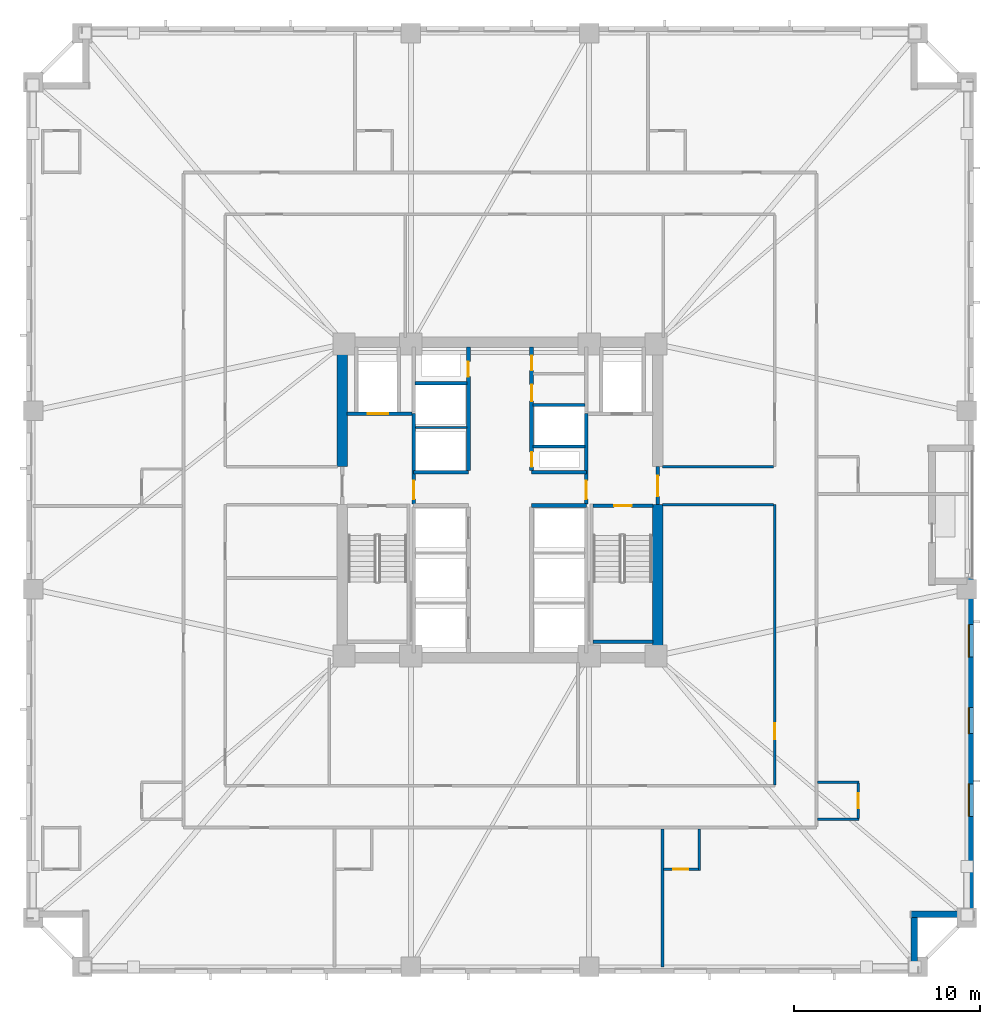
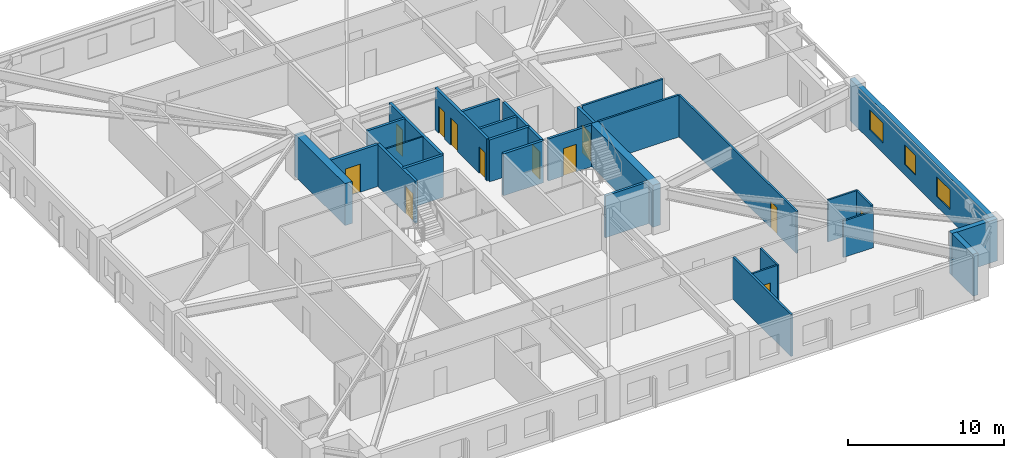
# One storey, part 4 of 11: 29 walls, 12 doors, 3 windows, 15 openings.
"""IFC4 building model written with IfcOpenShell, lengths in metres."""

import ifcopenshell
import ifcopenshell.guid

model = None  # the IFC model being written
_history = None  # IfcOwnerHistory: only IFC2X3 demands one
_inside = {}  # id of a spatial element -> (the spatial element, [elements in it])
_under = {}  # id of a project, library or spatial element -> (it, [spatial elements below it])
_declared = {}  # id of a project -> (the project, [libraries it declares])
_typed = {}  # id of a type object -> (the type object, [elements of that type])
_made_of = {}  # id of a material, layer set ... -> (it, [elements and type objects made of it])


def new_model(schema):
    """Start an empty IFC model of exactly this schema.

    Asked for "IFC4X3", IfcOpenShell would pick the latest addendum, in which some entities
    have other attributes; the version numbers below select the first issue.
    IFC2X3 requires an IfcOwnerHistory on every rooted entity: one is made here for all.
    """
    global model, _history
    if schema == "IFC4X3":
        model = ifcopenshell.file(schema_version=(4, 3, 0, 0))
    else:
        model = ifcopenshell.file(schema=schema)
    _inside.clear()
    _under.clear()
    _declared.clear()
    _typed.clear()
    _made_of.clear()
    _history = None
    if model.schema == "IFC2X3":
        org = make("IfcOrganization", Name="unknown")
        user = make(
            "IfcPersonAndOrganization",
            ThePerson=make("IfcPerson", FamilyName="unknown"),
            TheOrganization=org,
        )
        app = make(
            "IfcApplication",
            ApplicationDeveloper=org,
            Version="unknown",
            ApplicationFullName="unknown",
            ApplicationIdentifier="unknown",
        )
        _history = make(
            "IfcOwnerHistory",
            OwningUser=user,
            OwningApplication=app,
            ChangeAction="ADDED",
            CreationDate=0,
        )
    return model


def make(cls, **values):
    """One entity of the class cls with the attributes given. An attribute that is None is left unset."""
    return model.create_entity(
        cls, **{name: value for name, value in values.items() if value is not None}
    )


def rooted(cls, **values):
    """An entity with a GlobalId (a new one), such as an element, a storey or a relation."""
    return make(cls, GlobalId=ifcopenshell.guid.new(), OwnerHistory=_history, **values)


def si_unit(unit_type, name, prefix=None):
    """IfcSIUnit, for example si_unit("LENGTHUNIT", "METRE", prefix="MILLI")."""
    return make("IfcSIUnit", UnitType=unit_type, Prefix=prefix, Name=name)


def assignment(units):
    """IfcUnitAssignment: the units of a project."""
    return None if units is None else make("IfcUnitAssignment", Units=units)


def point(xyz):
    """IfcCartesianPoint."""
    return None if xyz is None else make("IfcCartesianPoint", Coordinates=xyz)


def direction(xyz):
    """IfcDirection."""
    return None if xyz is None else make("IfcDirection", DirectionRatios=xyz)


def frame(location, z_axis=None, x_axis=None):
    """IfcAxis2Placement3D, a coordinate frame: its origin and axes. An axis left out is left unset."""
    return make(
        "IfcAxis2Placement3D",
        Location=point(location),
        Axis=direction(z_axis),
        RefDirection=direction(x_axis),
    )


def frame_2d(location, x_axis=None):
    """IfcAxis2Placement2D, a coordinate frame in the plane: its origin and x axis."""
    return make(
        "IfcAxis2Placement2D", Location=point(location), RefDirection=direction(x_axis)
    )


def origin():
    """The frame at (0, 0, 0) with its axes left unset."""
    return frame((0.0, 0.0, 0.0))


def place(relative_to, where):
    """IfcLocalPlacement: puts the frame where relative to a parent placement (None: the world)."""
    return make(
        "IfcLocalPlacement", PlacementRelTo=relative_to, RelativePlacement=where
    )


def context(
    kind, dimensions, precision=None, world=None, true_north=None, identifier=None
):
    """IfcGeometricRepresentationContext, for example the 3D "Model" context."""
    return make(
        "IfcGeometricRepresentationContext",
        ContextIdentifier=identifier,
        ContextType=kind,
        CoordinateSpaceDimension=dimensions,
        Precision=precision,
        WorldCoordinateSystem=world,
        TrueNorth=true_north,
    )


def subcontext(parent, identifier, kind, view, scale=None):
    """IfcGeometricRepresentationSubContext, for example "Body" below "Model"."""
    return make(
        "IfcGeometricRepresentationSubContext",
        ContextIdentifier=identifier,
        ContextType=kind,
        ParentContext=parent,
        TargetScale=scale,
        TargetView=view,
    )


def project(units=None, contexts=None):
    """IfcProject with its units and contexts."""
    return rooted(
        "IfcProject",
        Name="project",
        RepresentationContexts=contexts,
        UnitsInContext=assignment(units),
    )


def spatial(cls, under=None, at=None, **own):
    """A site, building, storey or space (cls), placed at a placement, below another one or the project."""
    s = rooted(cls, ObjectPlacement=at, **own)
    if under is not None:
        _under.setdefault(under.id(), (under, []))[1].append(s)
    return s


def profile(cls, at=None, kind="AREA", **sizes):
    """A parametric profile (cls). Its sizes go by their IFC names, for example OverallWidth=200.0."""
    return make(cls, ProfileType=kind, Position=at, **sizes)


def rectangle(**sizes):
    """IfcRectangleProfileDef."""
    return profile("IfcRectangleProfileDef", **sizes)


def extrude(swept, where, along, depth):
    """IfcExtrudedAreaSolid: the profile swept, set in the frame where, extruded along a direction by depth."""
    return make(
        "IfcExtrudedAreaSolid",
        SweptArea=swept,
        Position=where,
        ExtrudedDirection=direction(along),
        Depth=depth,
    )


def shape(context_of_items, identifier, shape_type, items):
    """IfcShapeRepresentation: the items that make up one representation, for example the "Body"."""
    return make(
        "IfcShapeRepresentation",
        ContextOfItems=context_of_items,
        RepresentationIdentifier=identifier,
        RepresentationType=shape_type,
        Items=items,
    )


def material(Name=None, Category=None):
    """IfcMaterial."""
    return make("IfcMaterial", Name=Name, Category=Category)


def layer(
    of_material, thickness, ventilated=None, Name=None, Category=None, Priority=None
):
    """IfcMaterialLayer: one layer of a wall or slab, of a material (None: an air gap)."""
    return make(
        "IfcMaterialLayer",
        Material=of_material,
        LayerThickness=thickness,
        IsVentilated=ventilated,
        Name=Name,
        Category=Category,
        Priority=Priority,
    )


def layer_set(layers, Name=None):
    """IfcMaterialLayerSet."""
    return make("IfcMaterialLayerSet", MaterialLayers=layers, LayerSetName=Name)


def made_of(thing, what):
    """Note that an element or type object is made of a material, layer set ...; save() writes the relation."""
    if what is not None:
        _made_of.setdefault(what.id(), (what, []))[1].append(thing)
    return thing


def type_object(cls, material=None, **own):
    """A type object (cls), such as IfcWallType, which elements share."""
    return made_of(rooted(cls, **own), material)


def element(
    cls,
    number,
    at=None,
    inside=None,
    cuts=None,
    type_object=None,
    material=None,
    context=None,
    identifier="Body",
    shape_type=None,
    held_by="IfcProductDefinitionShape",
    body=None,
    shapes=None,
    **own,
):
    """One element of the class cls, such as IfcWall. Its Tag is "e" and its number.

    at: its placement. inside: the storey or other place that contains it. cuts: it is an
    opening in that element (IfcRelVoidsElement). A single representation is given by context,
    identifier, shape_type and body (its items); several are given by shapes. held_by: the class
    of the entity that holds the representations. save() writes the other relations.
    """
    e = rooted(cls, Tag="e%d" % number, ObjectPlacement=at, **own)
    if body is not None:
        shapes = [shape(context, identifier, shape_type, body)]
    if shapes is not None:
        e.Representation = make(held_by, Representations=shapes)
    if inside is not None:
        _inside.setdefault(inside.id(), (inside, []))[1].append(e)
    if cuts is not None:
        rooted(
            "IfcRelVoidsElement", RelatingBuildingElement=cuts, RelatedOpeningElement=e
        )
    if type_object is not None:
        _typed.setdefault(type_object.id(), (type_object, []))[1].append(e)
    return made_of(e, material)


def fill(opening, filler):
    """IfcRelFillsElement: the door or window that sits in an opening."""
    return rooted(
        "IfcRelFillsElement",
        RelatingOpeningElement=opening,
        RelatedBuildingElement=filler,
    )


def aggregate(whole, parts):
    """IfcRelAggregates: a whole, such as a stair, and the parts it consists of."""
    return rooted("IfcRelAggregates", RelatingObject=whole, RelatedObjects=parts)


def save(model, path):
    """Write the relations noted so far, then the file.

    IfcRelAggregates (storeys below a building ...), IfcRelContainedInSpatialStructure (elements
    in a storey), IfcRelDefinesByType, IfcRelAssociatesMaterial and IfcRelDeclares: one each for
    every whole, place, type object, material and project.
    """
    for whole, parts in _under.values():
        aggregate(whole, parts)
    for where, things in _inside.values():
        rooted(
            "IfcRelContainedInSpatialStructure",
            RelatedElements=things,
            RelatingStructure=where,
        )
    for kind, things in _typed.values():
        rooted("IfcRelDefinesByType", RelatedObjects=things, RelatingType=kind)
    for what, things in _made_of.values():
        rooted("IfcRelAssociatesMaterial", RelatedObjects=things, RelatingMaterial=what)
    for by, libraries in _declared.values():
        rooted("IfcRelDeclares", RelatingContext=by, RelatedDefinitions=libraries)
    model.write(path)


model = new_model("IFC4")

# Units and contexts
model_context = context("Model", 3, precision=1e-05, world=origin(), true_north=direction((0.0, 1.0)))
body_context = subcontext(model_context, "Body", "Model", "MODEL_VIEW")
ifc_project = project(units=[si_unit("LENGTHUNIT", "METRE"), si_unit("AREAUNIT", "SQUARE_METRE"), si_unit("VOLUMEUNIT", "CUBIC_METRE"), si_unit("PLANEANGLEUNIT", "RADIAN"), si_unit("MASSUNIT", "GRAM", prefix="KILO")], contexts=[model_context])

# Site, building, storey
site_placement = place(None, origin())
site = spatial("IfcSite", under=ifc_project, at=site_placement, CompositionType="ELEMENT")
building_placement = place(site_placement, origin())
building = spatial("IfcBuilding", under=site, at=building_placement, Name="Cairnveth Concourse Tower", CompositionType="ELEMENT")
storey_placement = place(building_placement, frame((0.0, 0.0, 65.5)))
storey = spatial("IfcBuildingStorey", under=building, at=storey_placement, Name="L17", CompositionType="ELEMENT", Elevation=65.5)

# Walls
ifc_material_1 = material(Name="Gypsum Plasterboard Partition", Category="gypsum")
ifc_layer_1 = layer(ifc_material_1, 0.159912109375)
ifc_layer_set_1 = layer_set([ifc_layer_1], Name="Gypsum Plasterboard Partition")
wall_type_1 = type_object("IfcWallType", Name="ACOUSTIC PARTY WALL 180", PredefinedType="PARTITIONING", material=ifc_layer_set_1)
wall_1_placement = place(storey_placement, frame((60.742431640625, 13.844970703125, 0.0), z_axis=(0.0, 0.0, 1.0), x_axis=(0.0, 1.0, 0.0)))
element("IfcWall", 1, at=wall_1_placement, inside=storey, type_object=wall_type_1, Name="Interior Wall IW-L17-064", PredefinedType="PARTITIONING", context=body_context, shape_type="SweptSolid", body=[
    extrude(rectangle(XDim=7.43994140625, YDim=0.159912109375, at=frame_2d((3.719970703125, 0.0))), origin(), (0.0, 0.0, 1.0), 3.280029296875),
])
ifc_material_2 = material(Name="Concrete N80 (80 MPa)", Category="concrete")
ifc_layer_2 = layer(ifc_material_2, 0.550048828125)
ifc_layer_set_2 = layer_set([ifc_layer_2], Name="Concrete N80 (80 MPa)")
wall_type_2 = type_object("IfcWallType", Name="CORE SHEAR WALL 550", PredefinedType="SHEAR", material=ifc_layer_set_2)
wall_2_placement = place(storey_placement, frame((43.5, 40.800048828125, 0.0), z_axis=(0.0, 0.0, 1.0), x_axis=(0.0, 1.0, 0.0)))
element("IfcWall", 2, at=wall_2_placement, inside=storey, type_object=wall_type_2, Name="Core West Shear Wall N L17", PredefinedType="SHEAR", context=body_context, shape_type="SweptSolid", body=[
    extrude(rectangle(XDim=6.43505859375, YDim=0.550048828125, at=frame_2d((3.217529296875, 0.0))), origin(), (0.0, 0.0, 1.0), 3.280029296875),
])
wall_3_placement = place(storey_placement, frame((60.5, 30.764892578125, 0.0), z_axis=(0.0, 0.0, 1.0), x_axis=(0.0, 1.0, 0.0)))
element("IfcWall", 3, at=wall_3_placement, inside=storey, type_object=wall_type_2, Name="Core East Shear Wall S L17", PredefinedType="SHEAR", context=body_context, shape_type="SweptSolid", body=[
    extrude(rectangle(XDim=7.985107421875, YDim=0.550048828125, at=frame_2d((3.99267578125, 0.0))), origin(), (0.0, 0.0, 1.0), 3.280029296875),
])
ifc_material_3 = material(Name="Concrete N50 (50 MPa)", Category="concrete")
ifc_layer_3 = layer(ifc_material_3, 0.179931640625)
ifc_layer_set_3 = layer_set([ifc_layer_3], Name="Concrete N50 (50 MPa)")
wall_type_3 = type_object("IfcWallType", Name="FIRE SHAFT WALL 180", PredefinedType="SOLIDWALL", material=ifc_layer_set_3)
wall_4_placement = place(storey_placement, frame((47.425048828125, 45.280029296875, 0.0), z_axis=(0.0, 0.0, 1.0), x_axis=(1.0, 0.0, 0.0)))
element("IfcWall", 4, at=wall_4_placement, inside=storey, type_object=wall_type_3, Name="Interior Wall IW-L17-033", PredefinedType="SOLIDWALL", context=body_context, shape_type="SweptSolid", body=[
    extrude(rectangle(XDim=2.7900390625, YDim=0.179931640625, at=frame_2d((1.39501953125, 0.0))), origin(), (0.0, 0.0, 1.0), 3.280029296875),
])
wall_5_placement = place(storey_placement, frame((53.784912109375, 41.8798828125, 0.0), z_axis=(0.0, 0.0, 1.0), x_axis=(1.0, 0.0, 0.0)))
element("IfcWall", 5, at=wall_5_placement, inside=storey, type_object=wall_type_3, Name="Interior Wall IW-L17-035", PredefinedType="SOLIDWALL", context=body_context, shape_type="SweptSolid", body=[
    extrude(rectangle(XDim=2.780029296875, YDim=0.179931640625, at=frame_2d((1.39013671875, 0.0))), origin(), (0.0, 0.0, 1.0), 3.280029296875),
])
wall_6_placement = place(storey_placement, frame((53.784912109375, 44.1201171875, 0.0), z_axis=(0.0, 0.0, 1.0), x_axis=(1.0, 0.0, 0.0)))
element("IfcWall", 6, at=wall_6_placement, inside=storey, type_object=wall_type_3, Name="Interior Wall IW-L17-036", PredefinedType="SOLIDWALL", context=body_context, shape_type="SweptSolid", body=[
    extrude(rectangle(XDim=2.7900390625, YDim=0.179931640625, at=frame_2d((1.39501953125, 0.0))), origin(), (0.0, 0.0, 1.0), 3.280029296875),
])

# Wall, opening, door
wall_7_placement = place(storey_placement, frame((57.0048828125, 38.68994140625, 0.0), z_axis=(0.0, 0.0, 1.0), x_axis=(1.0, 0.0, 0.0)))
wall_7 = element("IfcWall", 7, at=wall_7_placement, inside=storey, type_object=wall_type_3, Name="Stair ST-2 Shaft Wall NEAR L17", PredefinedType="SOLIDWALL", context=body_context, shape_type="SweptSolid", body=[
    extrude(rectangle(XDim=3.230224609375, YDim=0.179931640625, at=frame_2d((1.615234375, 0.0))), origin(), (0.0, 0.0, 1.0), 3.280029296875),
])
opening_1_placement = place(wall_7_placement, frame((1.139892578125, 0.0, 0.0)))
opening_1 = element("IfcOpeningElement", 8, at=opening_1_placement, cuts=wall_7, Name="Opening ID12", PredefinedType="OPENING", context=body_context, shape_type="SweptSolid", body=[
    extrude(rectangle(XDim=0.949951171875, YDim=2.14990234375, at=frame_2d((0.47509765625, 1.074951171875))), frame((0.0, 0.099853515625, 0.0), z_axis=(0.0, -1.0, 0.0), x_axis=(1.0, 0.0, 0.0)), (0.0, 0.0, 1.0), 0.199951171875),
])
ifc_material_4 = material(Name="Steel Grade 350", Category="steel")
door_type_1 = type_object("IfcDoorType", Name="FIRE STAIR DOOR 950X2150", OperationType="NOTDEFINED", PredefinedType="DOOR", material=ifc_material_4)
door_1_placement = place(opening_1_placement, origin())
door_1 = element("IfcDoor", 9, at=door_1_placement, inside=storey, type_object=door_type_1, Name="Stair ST-2 Fire Door L17", OperationType="SINGLE_SWING_RIGHT", OverallHeight=2.14990234375, OverallWidth=0.949951171875, PredefinedType="DOOR", context=body_context, shape_type="SweptSolid", body=[
    extrude(rectangle(XDim=0.949951171875, YDim=2.14990234375, at=frame_2d((0.47509765625, 1.074951171875))), frame((0.0, 0.02490234375, 0.0), z_axis=(0.0, -1.0, 0.0), x_axis=(1.0, 0.0, 0.0)), (0.0, 0.0, 1.0), 0.050048828125),
])
fill(opening_1, door_1)

# Walls
wall_8_placement = place(storey_placement, frame((57.0048828125, 31.360107421875, 0.0), z_axis=(0.0, 0.0, 1.0), x_axis=(1.0, 0.0, 0.0)))
element("IfcWall", 10, at=wall_8_placement, inside=storey, type_object=wall_type_3, Name="Stair ST-2 Shaft Wall FAR L17", PredefinedType="SOLIDWALL", context=body_context, shape_type="SweptSolid", body=[
    extrude(rectangle(XDim=3.230224609375, YDim=0.179931640625, at=frame_2d((1.615234375, 0.0))), origin(), (0.0, 0.0, 1.0), 3.280029296875),
])
ifc_layer_4 = layer(ifc_material_3, 0.199951171875)
ifc_layer_set_4 = layer_set([ifc_layer_4], Name="Concrete N50 (50 MPa)")
wall_type_4 = type_object("IfcWallType", Name="FIRE SHAFT WALL 200", PredefinedType="SOLIDWALL", material=ifc_layer_set_4)
for number, where, z_axis, x_axis, name in (
    (11, (47.35009765625, 40.5, 0.0), (0.0, 0.0, 1.0), (1.0, 0.0, 0.0), "Interior Wall IW-L17-008"),
    (12, (53.699951171875, 38.699951171875, 0.0), (0.0, 0.0, 1.0), (1.0, 0.0, 0.0), "Interior Wall IW-L17-009"),
    (13, (53.699951171875, 40.5, 0.0), (0.0, 0.0, 1.0), (1.0, 0.0, 0.0), "Interior Wall IW-L17-010"),
):
    element("IfcWall", number, at=place(storey_placement, frame(where, z_axis=z_axis, x_axis=x_axis)), inside=storey, type_object=wall_type_4, Name=name, PredefinedType="SOLIDWALL", context=body_context, shape_type="SweptSolid", body=[
        extrude(rectangle(XDim=2.949951171875, YDim=0.199951171875, at=frame_2d((1.47509765625, 0.0))), origin(), (0.0, 0.0, 1.0), 3.280029296875),
    ])

# Wall, opening, door
wall_9_placement = place(storey_placement, frame((50.300048828125, 40.5849609375, 0.0), z_axis=(0.0, 0.0, 1.0), x_axis=(0.0, 1.0, 0.0)))
wall_9 = element("IfcWall", 14, at=wall_9_placement, inside=storey, type_object=wall_type_4, Name="Interior Wall IW-L17-013", PredefinedType="SOLIDWALL", context=body_context, shape_type="SweptSolid", body=[
    extrude(rectangle(XDim=6.655029296875, YDim=0.199951171875, at=frame_2d((3.32763671875, 0.0))), origin(), (0.0, 0.0, 1.0), 3.280029296875),
])
opening_2_placement = place(wall_9_placement, frame((5.06494140625, 0.0, 0.0)))
opening_2 = element("IfcOpeningElement", 15, at=opening_2_placement, cuts=wall_9, Name="Opening ID24", PredefinedType="OPENING", context=body_context, shape_type="SweptSolid", body=[
    extrude(rectangle(XDim=0.800048828125, YDim=2.080078125, at=frame_2d((0.39990234375, 1.0400390625))), frame((0.0, 0.10986328125, 0.0), z_axis=(0.0, -1.0, 0.0), x_axis=(1.0, 0.0, 0.0)), (0.0, 0.0, 1.0), 0.219970703125),
])
door_type_2 = type_object("IfcDoorType", Name="RISER ACCESS DOOR 800X2100", OperationType="NOTDEFINED", PredefinedType="DOOR", material=ifc_material_4)
door_2_placement = place(opening_2_placement, origin())
door_2 = element("IfcDoor", 16, at=door_2_placement, inside=storey, type_object=door_type_2, Name="NW Electrical Riser Access Door L17", OperationType="SINGLE_SWING_RIGHT", OverallHeight=2.080078125, OverallWidth=0.800048828125, PredefinedType="DOOR", context=body_context, shape_type="SweptSolid", body=[
    extrude(rectangle(XDim=0.800048828125, YDim=2.080078125, at=frame_2d((0.39990234375, 1.0400390625))), frame((0.0, 0.02490234375, 0.0), z_axis=(0.0, -1.0, 0.0), x_axis=(1.0, 0.0, 0.0)), (0.0, 0.0, 1.0), 0.050048828125),
])
fill(opening_2, door_2)

# Wall, openings, doors
wall_10_placement = place(storey_placement, frame((53.699951171875, 40.5849609375, 0.0), z_axis=(0.0, 0.0, 1.0), x_axis=(0.0, 1.0, 0.0)))
wall_10 = element("IfcWall", 17, at=wall_10_placement, inside=storey, type_object=wall_type_4, Name="Interior Wall IW-L17-014", PredefinedType="SOLIDWALL", context=body_context, shape_type="SweptSolid", body=[
    extrude(rectangle(XDim=6.655029296875, YDim=0.199951171875, at=frame_2d((3.32763671875, 0.0))), origin(), (0.0, 0.0, 1.0), 3.280029296875),
])
opening_3_placement = place(wall_10_placement, frame((0.195068359375, 0.0, 0.0)))
opening_3 = element("IfcOpeningElement", 18, at=opening_3_placement, cuts=wall_10, Name="Opening ID24", PredefinedType="OPENING", context=body_context, shape_type="SweptSolid", body=[
    extrude(rectangle(XDim=0.800048828125, YDim=2.080078125, at=frame_2d((0.39990234375, 1.0400390625))), frame((0.0, 0.10986328125, 0.0), z_axis=(0.0, -1.0, 0.0), x_axis=(1.0, 0.0, 0.0)), (0.0, 0.0, 1.0), 0.219970703125),
])
opening_4_placement = place(wall_10_placement, frame((3.735107421875, 0.0, 0.0)))
opening_4 = element("IfcOpeningElement", 19, at=opening_4_placement, cuts=wall_10, Name="Opening ID26", PredefinedType="OPENING", context=body_context, shape_type="SweptSolid", body=[
    extrude(rectangle(XDim=0.89990234375, YDim=2.1201171875, at=frame_2d((0.449951171875, 1.06005859375))), frame((0.0, 0.10986328125, 0.0), z_axis=(0.0, -1.0, 0.0), x_axis=(1.0, 0.0, 0.0)), (0.0, 0.0, 1.0), 0.219970703125),
])
opening_5_placement = place(wall_10_placement, frame((5.39501953125, 0.0, 0.0)))
opening_5 = element("IfcOpeningElement", 20, at=opening_5_placement, cuts=wall_10, Name="Opening ID23", PredefinedType="OPENING", context=body_context, shape_type="SweptSolid", body=[
    extrude(rectangle(XDim=0.800048828125, YDim=2.10009765625, at=frame_2d((0.39990234375, 1.050048828125))), frame((0.0, 0.10986328125, 0.0), z_axis=(0.0, -1.0, 0.0), x_axis=(1.0, 0.0, 0.0)), (0.0, 0.0, 1.0), 0.219970703125),
])
door_type_3 = type_object("IfcDoorType", Name="CORE SERVICE DOOR 800X2100", OperationType="NOTDEFINED", PredefinedType="DOOR", material=ifc_material_4)
door_3_placement = place(opening_5_placement, origin())
door_3 = element("IfcDoor", 21, at=door_3_placement, inside=storey, type_object=door_type_3, Name="Core NE Cleaners Door L17", OperationType="SINGLE_SWING_LEFT", OverallHeight=2.10009765625, OverallWidth=0.800048828125, PredefinedType="DOOR", context=body_context, shape_type="SweptSolid", body=[
    extrude(rectangle(XDim=0.800048828125, YDim=2.10009765625, at=frame_2d((0.39990234375, 1.050048828125))), frame((0.0, 0.02490234375, 0.0), z_axis=(0.0, -1.0, 0.0), x_axis=(1.0, 0.0, 0.0)), (0.0, 0.0, 1.0), 0.050048828125),
])
fill(opening_5, door_3)
door_type_4 = type_object("IfcDoorType", Name="CORE TOILET FIRE DOOR 900X2120", OperationType="NOTDEFINED", PredefinedType="DOOR", material=ifc_material_4)
door_4_placement = place(opening_4_placement, origin())
door_4 = element("IfcDoor", 22, at=door_4_placement, inside=storey, type_object=door_type_4, Name="Core NE Unisex WC Door L17", OperationType="SINGLE_SWING_RIGHT", OverallHeight=2.1201171875, OverallWidth=0.89990234375, PredefinedType="DOOR", context=body_context, shape_type="SweptSolid", body=[
    extrude(rectangle(XDim=0.89990234375, YDim=2.1201171875, at=frame_2d((0.449951171875, 1.06005859375))), frame((0.0, 0.02490234375, 0.0), z_axis=(0.0, -1.0, 0.0), x_axis=(1.0, 0.0, 0.0)), (0.0, 0.0, 1.0), 0.050048828125),
])
fill(opening_4, door_4)
door_5_placement = place(opening_3_placement, origin())
door_5 = element("IfcDoor", 23, at=door_5_placement, inside=storey, type_object=door_type_2, Name="Hydraulic Riser Door L17", OperationType="SINGLE_SWING_LEFT", OverallHeight=2.080078125, OverallWidth=0.800048828125, PredefinedType="DOOR", context=body_context, shape_type="SweptSolid", body=[
    extrude(rectangle(XDim=0.800048828125, YDim=2.080078125, at=frame_2d((0.39990234375, 1.0400390625))), frame((0.0, 0.02490234375, 0.0), z_axis=(0.0, -1.0, 0.0), x_axis=(1.0, 0.0, 0.0)), (0.0, 0.0, 1.0), 0.050048828125),
])
fill(opening_3, door_5)

# Wall, opening, door
wall_11_placement = place(storey_placement, frame((47.35009765625, 38.784912109375, 0.0), z_axis=(0.0, 0.0, 1.0), x_axis=(0.0, 1.0, 0.0)))
wall_11 = element("IfcWall", 24, at=wall_11_placement, inside=storey, type_object=wall_type_4, Name="Interior Wall IW-L17-016", PredefinedType="SOLIDWALL", context=body_context, shape_type="SweptSolid", body=[
    extrude(rectangle(XDim=4.864990234375, YDim=0.199951171875, at=frame_2d((2.4326171875, 0.0))), origin(), (0.0, 0.0, 1.0), 3.280029296875),
])
opening_6_placement = place(wall_11_placement, frame((0.264892578125, 0.0, 0.0)))
opening_6 = element("IfcOpeningElement", 25, at=opening_6_placement, cuts=wall_11, Name="Opening ID07", PredefinedType="OPENING", context=body_context, shape_type="SweptSolid", body=[
    extrude(rectangle(XDim=1.0, YDim=2.14990234375, at=frame_2d((0.5, 1.074951171875))), frame((0.0, 0.10986328125, 0.0), z_axis=(0.0, -1.0, 0.0), x_axis=(1.0, 0.0, 0.0)), (0.0, 0.0, 1.0), 0.219970703125),
])
door_type_5 = type_object("IfcDoorType", Name="FIRE CORRIDOR DOOR 1000X2150", OperationType="NOTDEFINED", PredefinedType="DOOR", material=ifc_material_4)
door_6_placement = place(opening_6_placement, origin())
door_6 = element("IfcDoor", 26, at=door_6_placement, inside=storey, type_object=door_type_5, Name="FF Lobby West to Lift Lobby Door L17", OperationType="SINGLE_SWING_RIGHT", OverallHeight=2.14990234375, OverallWidth=1.0, PredefinedType="DOOR", context=body_context, shape_type="SweptSolid", body=[
    extrude(rectangle(XDim=1.0, YDim=2.14990234375, at=frame_2d((0.5, 1.074951171875))), frame((0.0, 0.02490234375, 0.0), z_axis=(0.0, -1.0, 0.0), x_axis=(1.0, 0.0, 0.0)), (0.0, 0.0, 1.0), 0.050048828125),
])
fill(opening_6, door_6)

wall_12_placement = place(storey_placement, frame((43.760009765625, 43.64990234375, 0.0), z_axis=(0.0, 0.0, 1.0), x_axis=(1.0, 0.0, 0.0)))
wall_12 = element("IfcWall", 27, at=wall_12_placement, inside=storey, type_object=wall_type_4, Name="Interior Wall IW-L17-017", PredefinedType="SOLIDWALL", context=body_context, shape_type="SweptSolid", body=[
    extrude(rectangle(XDim=3.5048828125, YDim=0.199951171875, at=frame_2d((1.75244140625, 0.0))), origin(), (0.0, 0.0, 1.0), 3.280029296875),
])
opening_7_placement = place(wall_12_placement, frame((1.110107421875, 0.0, 0.0)))
opening_7 = element("IfcOpeningElement", 28, at=opening_7_placement, cuts=wall_12, Name="Opening LD-1", PredefinedType="OPENING", context=body_context, shape_type="SweptSolid", body=[
    extrude(rectangle(XDim=1.10009765625, YDim=2.199951171875, at=frame_2d((0.550048828125, 1.10009765625))), frame((0.0, 0.10986328125, 0.0), z_axis=(0.0, -1.0, 0.0), x_axis=(1.0, 0.0, 0.0)), (0.0, 0.0, 1.0), 0.219970703125),
])
ifc_material_5 = material(Name="Architectural Bronze Anodised Aluminium 6063-T6", Category="aluminium")
door_type_6 = type_object("IfcDoorType", Name="LIFT LANDING DOOR 1100X2200", OperationType="SLIDING_TO_LEFT", PredefinedType="DOOR", material=ifc_material_5)
door_7_placement = place(opening_7_placement, origin())
door_7 = element("IfcDoor", 29, at=door_7_placement, inside=storey, type_object=door_type_6, Name="Lift FFL1 Landing Door L17", OperationType="SLIDING_TO_LEFT", OverallHeight=2.199951171875, OverallWidth=1.10009765625, PredefinedType="DOOR", context=body_context, shape_type="SweptSolid", body=[
    extrude(rectangle(XDim=1.10009765625, YDim=2.199951171875, at=frame_2d((0.550048828125, 1.10009765625))), frame((0.0, 0.02490234375, 0.0), z_axis=(0.0, -1.0, 0.0), x_axis=(1.0, 0.0, 0.0)), (0.0, 0.0, 1.0), 0.050048828125),
])
fill(opening_7, door_7)

wall_13_placement = place(storey_placement, frame((60.5, 38.75, 0.0), z_axis=(0.0, 0.0, 1.0), x_axis=(0.0, 1.0, 0.0)))
wall_13 = element("IfcWall", 30, at=wall_13_placement, inside=storey, type_object=wall_type_4, Name="Interior Wall IW-L17-020", PredefinedType="SOLIDWALL", context=body_context, shape_type="SweptSolid", body=[
    extrude(rectangle(XDim=2.050048828125, YDim=0.199951171875, at=frame_2d((1.02490234375, 0.0))), origin(), (0.0, 0.0, 1.0), 3.280029296875),
])
opening_8_placement = place(wall_13_placement, frame((0.449951171875, 0.0, 0.0)))
opening_8 = element("IfcOpeningElement", 31, at=opening_8_placement, cuts=wall_13, Name="Opening ID06", PredefinedType="OPENING", context=body_context, shape_type="SweptSolid", body=[
    extrude(rectangle(XDim=1.10009765625, YDim=2.14990234375, at=frame_2d((0.550048828125, 1.074951171875))), frame((0.0, 0.10986328125, 0.0), z_axis=(0.0, -1.0, 0.0), x_axis=(1.0, 0.0, 0.0)), (0.0, 0.0, 1.0), 0.219970703125),
])
door_type_7 = type_object("IfcDoorType", Name="FIRE CORRIDOR DOOR 1100X2150", OperationType="NOTDEFINED", PredefinedType="DOOR", material=ifc_material_4)
door_8_placement = place(opening_8_placement, origin())
door_8 = element("IfcDoor", 32, at=door_8_placement, inside=storey, type_object=door_type_7, Name="East Wing to FF Lobby Door L17", OperationType="SINGLE_SWING_RIGHT", OverallHeight=2.14990234375, OverallWidth=1.10009765625, PredefinedType="DOOR", context=body_context, shape_type="SweptSolid", body=[
    extrude(rectangle(XDim=1.10009765625, YDim=2.14990234375, at=frame_2d((0.550048828125, 1.074951171875))), frame((0.0, 0.02490234375, 0.0), z_axis=(0.0, -1.0, 0.0), x_axis=(1.0, 0.0, 0.0)), (0.0, 0.0, 1.0), 0.050048828125),
])
fill(opening_8, door_8)

wall_14_placement = place(storey_placement, frame((56.64990234375, 38.784912109375, 0.0), z_axis=(0.0, 0.0, 1.0), x_axis=(0.0, 1.0, 0.0)))
wall_14 = element("IfcWall", 33, at=wall_14_placement, inside=storey, type_object=wall_type_4, Name="Interior Wall IW-L17-021", PredefinedType="SOLIDWALL", context=body_context, shape_type="SweptSolid", body=[
    extrude(rectangle(XDim=4.864990234375, YDim=0.199951171875, at=frame_2d((2.4326171875, 0.0))), origin(), (0.0, 0.0, 1.0), 3.280029296875),
])
opening_9_placement = place(wall_14_placement, frame((0.264892578125, 0.0, 0.0)))
opening_9 = element("IfcOpeningElement", 34, at=opening_9_placement, cuts=wall_14, Name="Opening ID07", PredefinedType="OPENING", context=body_context, shape_type="SweptSolid", body=[
    extrude(rectangle(XDim=1.0, YDim=2.14990234375, at=frame_2d((0.5, 1.074951171875))), frame((0.0, 0.10986328125, 0.0), z_axis=(0.0, -1.0, 0.0), x_axis=(1.0, 0.0, 0.0)), (0.0, 0.0, 1.0), 0.219970703125),
])
door_9_placement = place(opening_9_placement, origin())
door_9 = element("IfcDoor", 35, at=door_9_placement, inside=storey, type_object=door_type_5, Name="FF Lobby East to Lift Lobby Door L17", OperationType="SINGLE_SWING_LEFT", OverallHeight=2.14990234375, OverallWidth=1.0, PredefinedType="DOOR", context=body_context, shape_type="SweptSolid", body=[
    extrude(rectangle(XDim=1.0, YDim=2.14990234375, at=frame_2d((0.5, 1.074951171875))), frame((0.0, 0.02490234375, 0.0), z_axis=(0.0, -1.0, 0.0), x_axis=(1.0, 0.0, 0.0)), (0.0, 0.0, 1.0), 0.050048828125),
])
fill(opening_9, door_9)

ifc_layer_5 = layer(ifc_material_1, 0.139892578125)
ifc_layer_set_5 = layer_set([ifc_layer_5], Name="Gypsum Plasterboard Partition")
wall_type_5 = type_object("IfcWallType", Name="GYPSUM STUD PARTITION 140", PredefinedType="PARTITIONING", material=ifc_layer_set_5)
wall_15_placement = place(storey_placement, frame((66.800048828125, 23.655029296875, 0.0), z_axis=(0.0, 0.0, 1.0), x_axis=(0.0, 1.0, 0.0)))
wall_15 = element("IfcWall", 36, at=wall_15_placement, inside=storey, type_object=wall_type_5, Name="Interior Wall IW-L17-048", PredefinedType="PARTITIONING", context=body_context, shape_type="SweptSolid", body=[
    extrude(rectangle(XDim=15.094970703125, YDim=0.139892578125, at=frame_2d((7.54736328125, 0.0))), origin(), (0.0, 0.0, 1.0), 3.280029296875),
])
opening_10_placement = place(wall_15_placement, frame((2.445068359375, 0.0, 0.0)))
opening_10 = element("IfcOpeningElement", 37, at=opening_10_placement, cuts=wall_15, Name="Opening ID18", PredefinedType="OPENING", context=body_context, shape_type="SweptSolid", body=[
    extrude(rectangle(XDim=0.8798828125, YDim=2.10009765625, at=frame_2d((0.43994140625, 1.050048828125))), frame((0.0, 0.079833984375, 0.0), z_axis=(0.0, -1.0, 0.0), x_axis=(1.0, 0.0, 0.0)), (0.0, 0.0, 1.0), 0.159912109375),
])
ifc_material_6 = material(Name="Solid Core Hardwood Timber Leaf", Category="wood")
door_type_8 = type_object("IfcDoorType", Name="INTERIOR SINGLE DOOR 880X2100", OperationType="NOTDEFINED", PredefinedType="DOOR", material=ifc_material_6)
door_10_placement = place(opening_10_placement, origin())
door_10 = element("IfcDoor", 38, at=door_10_placement, inside=storey, type_object=door_type_8, Name="Interior Door DR-L17-023", OperationType="SINGLE_SWING_LEFT", OverallHeight=2.10009765625, OverallWidth=0.8798828125, PredefinedType="DOOR", context=body_context, shape_type="SweptSolid", body=[
    extrude(rectangle(XDim=0.8798828125, YDim=2.10009765625, at=frame_2d((0.43994140625, 1.050048828125))), frame((0.0, 0.02490234375, 0.0), z_axis=(0.0, -1.0, 0.0), x_axis=(1.0, 0.0, 0.0)), (0.0, 0.0, 1.0), 0.050048828125),
])
fill(opening_10, door_10)

# Walls
for number, where, z_axis, x_axis, name in (
    (39, (60.760009765625, 38.75, 0.0), (0.0, 0.0, 1.0), (1.0, 0.0, 0.0), "Interior Wall IW-L17-050"),
    (40, (60.760009765625, 40.800048828125, 0.0), (0.0, 0.0, 1.0), (1.0, 0.0, 0.0), "Interior Wall IW-L17-051"),
):
    element("IfcWall", number, at=place(storey_placement, frame(where, z_axis=z_axis, x_axis=x_axis)), inside=storey, type_object=wall_type_5, Name=name, PredefinedType="PARTITIONING", context=body_context, shape_type="SweptSolid", body=[
        extrude(rectangle(XDim=5.985107421875, YDim=0.139892578125, at=frame_2d((2.99267578125, 0.0))), origin(), (0.0, 0.0, 1.0), 3.280029296875),
    ])
ifc_layer_6 = layer(ifc_material_1, 0.110107421875)
ifc_layer_set_6 = layer_set([ifc_layer_6], Name="Gypsum Plasterboard Partition")
wall_type_6 = type_object("IfcWallType", Name="SHAFT DIVIDER WALL 140", PredefinedType="PARTITIONING", material=ifc_layer_set_6)
wall_16_placement = place(storey_placement, frame((47.43505859375, 42.89990234375, 0.0), z_axis=(0.0, 0.0, 1.0), x_axis=(1.0, 0.0, 0.0)))
element("IfcWall", 41, at=wall_16_placement, inside=storey, type_object=wall_type_6, Name="Interior Wall IW-L17-032", PredefinedType="PARTITIONING", context=body_context, shape_type="SweptSolid", body=[
    extrude(rectangle(XDim=2.780029296875, YDim=0.110107421875, at=frame_2d((1.39013671875, 0.0))), origin(), (0.0, 0.0, 1.0), 3.280029296875),
])
ifc_layer_7 = layer(ifc_material_1, 0.1298828125)
ifc_layer_set_7 = layer_set([ifc_layer_7], Name="Gypsum Plasterboard Partition")
wall_type_7 = type_object("IfcWallType", Name="WET AREA PARTITION 140", PredefinedType="PLUMBINGWALL", material=ifc_layer_set_7)
wall_17_placement = place(storey_placement, frame((62.742431640625, 19.050048828125, 0.0), z_axis=(0.0, 0.0, 1.0), x_axis=(0.0, 1.0, 0.0)))
element("IfcWall", 42, at=wall_17_placement, inside=storey, type_object=wall_type_7, Name="Interior Wall IW-L17-065", PredefinedType="PLUMBINGWALL", context=body_context, shape_type="SweptSolid", body=[
    extrude(rectangle(XDim=2.23486328125, YDim=0.1298828125, at=frame_2d((1.117431640625, 0.0))), origin(), (0.0, 0.0, 1.0), 3.280029296875),
])

# Wall, opening, door
wall_18_placement = place(storey_placement, frame((60.8076171875, 19.10009765625, 0.0), z_axis=(0.0, 0.0, 1.0), x_axis=(1.0, 0.0, 0.0)))
wall_18 = element("IfcWall", 43, at=wall_18_placement, inside=storey, type_object=wall_type_7, Name="Interior Wall IW-L17-066", PredefinedType="PLUMBINGWALL", context=body_context, shape_type="SweptSolid", body=[
    extrude(rectangle(XDim=1.884765625, YDim=0.1298828125, at=frame_2d((0.9423828125, 0.0))), origin(), (0.0, 0.0, 1.0), 3.280029296875),
])
opening_11_placement = place(wall_18_placement, frame((0.52490234375, 0.0, 0.0)))
opening_11 = element("IfcOpeningElement", 44, at=opening_11_placement, cuts=wall_18, Name="Opening ID22", PredefinedType="OPENING", context=body_context, shape_type="SweptSolid", body=[
    extrude(rectangle(XDim=0.820068359375, YDim=2.10009765625, at=frame_2d((0.41015625, 1.050048828125))), frame((0.0, 0.074951171875, 0.0), z_axis=(0.0, -1.0, 0.0), x_axis=(1.0, 0.0, 0.0)), (0.0, 0.0, 1.0), 0.14990234375),
])
door_type_9 = type_object("IfcDoorType", Name="INTERIOR WC DOOR 820X2100", OperationType="NOTDEFINED", PredefinedType="DOOR", material=ifc_material_6)
door_11_placement = place(opening_11_placement, origin())
door_11 = element("IfcDoor", 45, at=door_11_placement, inside=storey, type_object=door_type_9, Name="En-Suite Door L17-S3", OperationType="SINGLE_SWING_LEFT", OverallHeight=2.10009765625, OverallWidth=0.820068359375, PredefinedType="DOOR", context=body_context, shape_type="SweptSolid", body=[
    extrude(rectangle(XDim=0.820068359375, YDim=2.10009765625, at=frame_2d((0.41015625, 1.050048828125))), frame((0.0, 0.02490234375, 0.0), z_axis=(0.0, -1.0, 0.0), x_axis=(1.0, 0.0, 0.0)), (0.0, 0.0, 1.0), 0.050048828125),
])
fill(opening_11, door_11)

# Walls
wall_19_placement = place(storey_placement, frame((69.114990234375, 21.800048828125, 0.0), z_axis=(0.0, 0.0, 1.0), x_axis=(1.0, 0.0, 0.0)))
element("IfcWall", 46, at=wall_19_placement, inside=storey, type_object=wall_type_7, Name="Interior Wall IW-L17-083", PredefinedType="PLUMBINGWALL", context=body_context, shape_type="SweptSolid", body=[
    extrude(rectangle(XDim=2.235107421875, YDim=0.1298828125, at=frame_2d((1.11767578125, 0.0))), origin(), (0.0, 0.0, 1.0), 2.84912109375),
])
wall_20_placement = place(storey_placement, frame((69.114990234375, 23.800048828125, 0.0), z_axis=(0.0, 0.0, 1.0), x_axis=(1.0, 0.0, 0.0)))
element("IfcWall", 47, at=wall_20_placement, inside=storey, type_object=wall_type_7, Name="Interior Wall IW-L17-084", PredefinedType="PLUMBINGWALL", context=body_context, shape_type="SweptSolid", body=[
    extrude(rectangle(XDim=2.235107421875, YDim=0.1298828125, at=frame_2d((1.11767578125, 0.0))), origin(), (0.0, 0.0, 1.0), 3.280029296875),
])

# Wall, opening, door
wall_21_placement = place(storey_placement, frame((71.300048828125, 21.85009765625, 0.0), z_axis=(0.0, 0.0, 1.0), x_axis=(0.0, 1.0, 0.0)))
wall_21 = element("IfcWall", 48, at=wall_21_placement, inside=storey, type_object=wall_type_7, Name="Interior Wall IW-L17-085", PredefinedType="PLUMBINGWALL", context=body_context, shape_type="SweptSolid", body=[
    extrude(rectangle(XDim=1.89990234375, YDim=0.1298828125, at=frame_2d((0.949951171875, 0.0))), origin(), (0.0, 0.0, 1.0), 3.280029296875),
])
opening_12_placement = place(wall_21_placement, frame((0.5400390625, 0.0, 0.0)))
opening_12 = element("IfcOpeningElement", 49, at=opening_12_placement, cuts=wall_21, Name="Opening ID22", PredefinedType="OPENING", context=body_context, shape_type="SweptSolid", body=[
    extrude(rectangle(XDim=0.820068359375, YDim=2.10009765625, at=frame_2d((0.41015625, 1.050048828125))), frame((0.0, 0.074951171875, 0.0), z_axis=(0.0, -1.0, 0.0), x_axis=(1.0, 0.0, 0.0)), (0.0, 0.0, 1.0), 0.14990234375),
])
door_12_placement = place(opening_12_placement, origin())
door_12 = element("IfcDoor", 50, at=door_12_placement, inside=storey, type_object=door_type_9, Name="En-Suite Door L17-E1", OperationType="SINGLE_SWING_LEFT", OverallHeight=2.10009765625, OverallWidth=0.820068359375, PredefinedType="DOOR", context=body_context, shape_type="SweptSolid", body=[
    extrude(rectangle(XDim=0.820068359375, YDim=2.10009765625, at=frame_2d((0.41015625, 1.050048828125))), frame((0.0, 0.02490234375, 0.0), z_axis=(0.0, -1.0, 0.0), x_axis=(1.0, 0.0, 0.0)), (0.0, 0.0, 1.0), 0.050048828125),
])
fill(opening_12, door_12)

# Wall, openings, windows
ifc_material_7 = material(Name="Hawthorn Red-Ochre Fired Clay Brick Masonry", Category="masonry")
ifc_layer_8 = layer(ifc_material_7, 0.360107421875)
ifc_layer_set_8 = layer_set([ifc_layer_8], Name="Hawthorn Red-Ochre Fired Clay Brick Masonry")
wall_type_8 = type_object("IfcWallType", Name="ZONE 1 BRICK PIER SPANDREL WALL 360", PredefinedType="SOLIDWALL", material=ifc_layer_set_8)
wall_22_placement = place(storey_placement, frame((77.320068359375, 34.800048828125, 0.0), z_axis=(0.0, 0.0, 1.0), x_axis=(0.0, -1.0, 0.0)))
wall_22 = element("IfcWall", 51, at=wall_22_placement, inside=storey, type_object=wall_type_8, Name="Exterior Wall EW-L17-S00", PredefinedType="SOLIDWALL", context=body_context, shape_type="SweptSolid", body=[
    extrude(rectangle(XDim=17.962158203125, YDim=0.360107421875, at=frame_2d((8.98095703125, 0.0))), origin(), (0.0, 0.0, 1.0), 3.280029296875),
])
opening_13_placement = place(wall_22_placement, frame((2.518798828125, 0.0, 0.800048828125)))
opening_13 = element("IfcOpeningElement", 52, at=opening_13_placement, cuts=wall_22, Name="Opening W06", PredefinedType="OPENING", context=body_context, shape_type="SweptSolid", body=[
    extrude(rectangle(XDim=1.75, YDim=1.5439453125, at=frame_2d((0.875, 0.77197265625))), frame((0.0, 0.18994140625, 0.0), z_axis=(0.0, -1.0, 0.0), x_axis=(1.0, 0.0, 0.0)), (0.0, 0.0, 1.0), 0.380126953125),
])
opening_14_placement = place(wall_22_placement, frame((6.98095703125, 0.0, 0.800048828125)))
opening_14 = element("IfcOpeningElement", 53, at=opening_14_placement, cuts=wall_22, Name="Opening W05", PredefinedType="OPENING", context=body_context, shape_type="SweptSolid", body=[
    extrude(rectangle(XDim=1.39990234375, YDim=1.5439453125, at=frame_2d((0.699951171875, 0.77197265625))), frame((0.0, 0.18994140625, 0.0), z_axis=(0.0, -1.0, 0.0), x_axis=(1.0, 0.0, 0.0)), (0.0, 0.0, 1.0), 0.380126953125),
])
opening_15_placement = place(wall_22_placement, frame((11.09326171875, 0.0, 0.800048828125)))
opening_15 = element("IfcOpeningElement", 54, at=opening_15_placement, cuts=wall_22, Name="Opening W06", PredefinedType="OPENING", context=body_context, shape_type="SweptSolid", body=[
    extrude(rectangle(XDim=1.75, YDim=1.5439453125, at=frame_2d((0.875, 0.77197265625))), frame((0.0, 0.18994140625, 0.0), z_axis=(0.0, -1.0, 0.0), x_axis=(1.0, 0.0, 0.0)), (0.0, 0.0, 1.0), 0.380126953125),
])
ifc_material_8 = material(Name="Double Glazed Low-E Clear Glass", Category="glass")
window_type_1 = type_object("IfcWindowType", Name="DEEP-SET HOTEL CASEMENT WINDOW 1400X1750", PartitioningType="DOUBLE_PANEL_VERTICAL", PredefinedType="WINDOW", material=ifc_material_8)
window_1_placement = place(opening_14_placement, origin())
window_1 = element("IfcWindow", 55, at=window_1_placement, inside=storey, type_object=window_type_1, Name="Gothic Lancet Window L17-0-2", OverallHeight=1.5439453125, OverallWidth=1.39990234375, PartitioningType="SINGLE_PANEL", PredefinedType="WINDOW", context=body_context, shape_type="SweptSolid", body=[
    extrude(rectangle(XDim=1.39990234375, YDim=1.5439453125, at=frame_2d((0.699951171875, 0.77197265625))), frame((0.0, -0.050048828125, 0.0), z_axis=(0.0, -1.0, 0.0), x_axis=(1.0, 0.0, 0.0)), (0.0, 0.0, 1.0), 0.06005859375),
])
fill(opening_14, window_1)
window_type_2 = type_object("IfcWindowType", Name="DEEP-SET HOTEL SUITE WINDOW 1750X1800", PartitioningType="DOUBLE_PANEL_VERTICAL", PredefinedType="WINDOW", material=ifc_material_8)
window_2_placement = place(opening_13_placement, origin())
window_2 = element("IfcWindow", 56, at=window_2_placement, inside=storey, type_object=window_type_2, Name="Gothic Lancet Window L17-0-1", OverallHeight=1.5439453125, OverallWidth=1.75, PartitioningType="SINGLE_PANEL", PredefinedType="WINDOW", context=body_context, shape_type="SweptSolid", body=[
    extrude(rectangle(XDim=1.75, YDim=1.5439453125, at=frame_2d((0.875, 0.77197265625))), frame((0.0, -0.050048828125, 0.0), z_axis=(0.0, -1.0, 0.0), x_axis=(1.0, 0.0, 0.0)), (0.0, 0.0, 1.0), 0.06005859375),
])
fill(opening_13, window_2)
window_3_placement = place(opening_15_placement, origin())
window_3 = element("IfcWindow", 57, at=window_3_placement, inside=storey, type_object=window_type_2, Name="Gothic Lancet Window L17-0-3", OverallHeight=1.5439453125, OverallWidth=1.75, PartitioningType="SINGLE_PANEL", PredefinedType="WINDOW", context=body_context, shape_type="SweptSolid", body=[
    extrude(rectangle(XDim=1.75, YDim=1.5439453125, at=frame_2d((0.875, 0.77197265625))), frame((0.0, -0.050048828125, 0.0), z_axis=(0.0, -1.0, 0.0), x_axis=(1.0, 0.0, 0.0)), (0.0, 0.0, 1.0), 0.06005859375),
])
fill(opening_15, window_3)

# Walls
wall_23_placement = place(storey_placement, frame((77.5, 16.679931640625, 0.0), z_axis=(0.0, 0.0, 1.0), x_axis=(-1.0, 0.0, 0.0)))
element("IfcWall", 58, at=wall_23_placement, inside=storey, type_object=wall_type_8, Name="Exterior Wall EW-L17-S01", PredefinedType="SOLIDWALL", context=body_context, shape_type="SweptSolid", body=[
    extrude(rectangle(XDim=3.360107421875, YDim=0.360107421875, at=frame_2d((1.68017578125, 0.0))), origin(), (0.0, 0.0, 1.0), 3.280029296875),
])
wall_24_placement = place(storey_placement, frame((74.320068359375, 16.52197265625, 0.0), z_axis=(0.0, 0.0, 1.0), x_axis=(0.0, -1.0, 0.0)))
element("IfcWall", 59, at=wall_24_placement, inside=storey, type_object=wall_type_8, Name="Exterior Wall EW-L17-S02", PredefinedType="SOLIDWALL", context=body_context, shape_type="SweptSolid", body=[
    extrude(rectangle(XDim=2.68408203125, YDim=0.360107421875, at=frame_2d((1.342041015625, 0.0))), origin(), (0.0, 0.0, 1.0), 3.280029296875),
])

save(model, "model.ifc")
